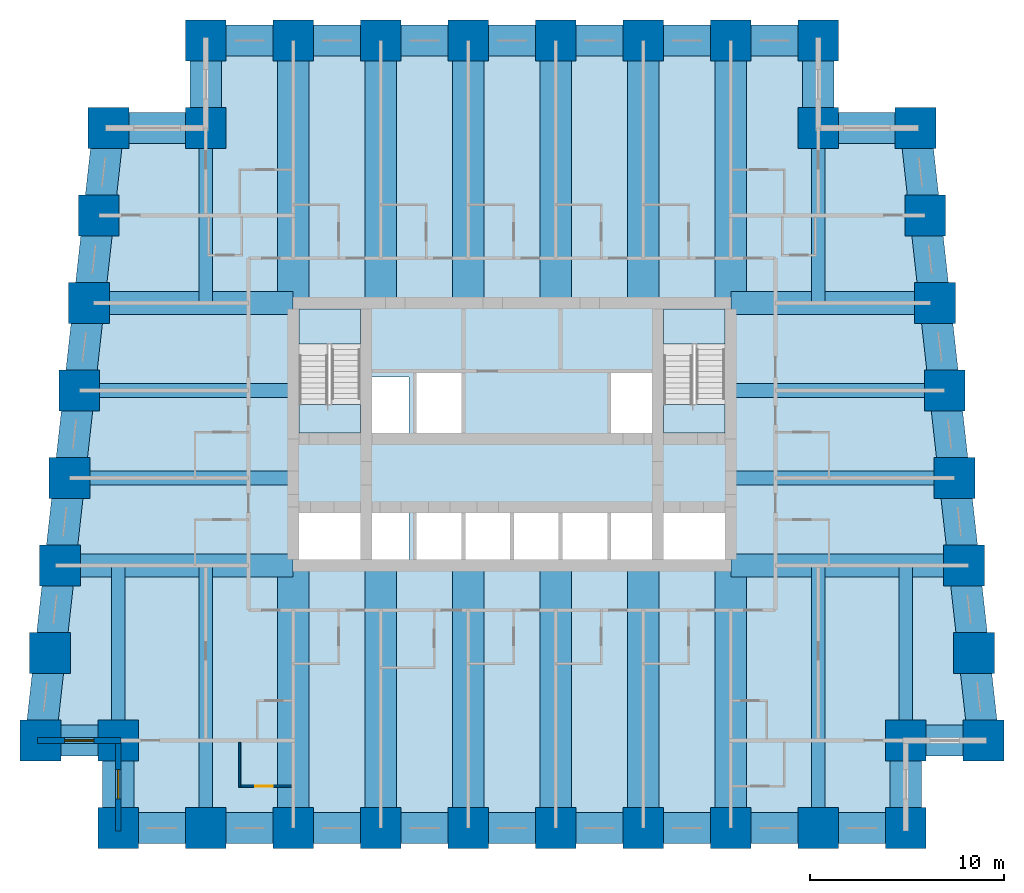
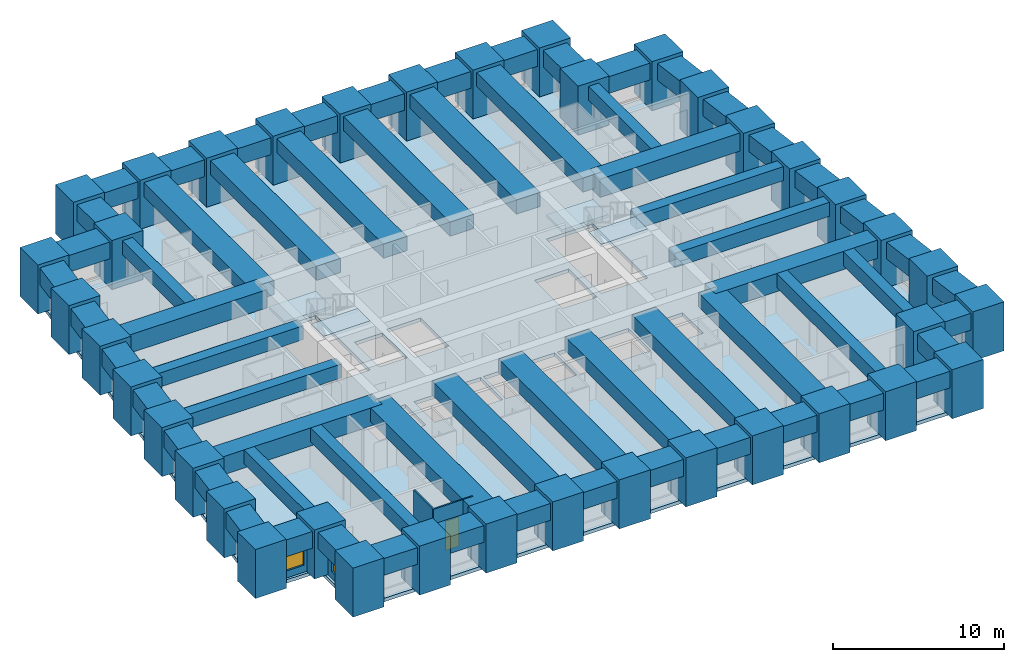
# One storey, part 1 of 8: 64 beams, 38 columns, 5 slabs, 4 walls, 2 windows, 1 door, 3 openings, 2 elements without a shape of their own.
"""IFC4 building model written with IfcOpenShell, lengths in metres."""

from ifc_helpers import new_model, si_unit, direction, frame, frame_2d, origin, origin_2d, place, context, subcontext, project, spatial, polyline, rectangle, outline, extrude, material, layer, layer_set, material_profile, profile_set, type_object, element, fill, aggregate, save


model = new_model("IFC4")

# Units and contexts
model_context = context("Model", 3, precision=1e-05, world=origin(), true_north=direction((0.0, 1.0)))
body_context = subcontext(model_context, "Body", "Model", "MODEL_VIEW")
ifc_project = project(units=[si_unit("LENGTHUNIT", "METRE"), si_unit("AREAUNIT", "SQUARE_METRE"), si_unit("VOLUMEUNIT", "CUBIC_METRE"), si_unit("PLANEANGLEUNIT", "RADIAN"), si_unit("MASSUNIT", "GRAM", prefix="KILO")], contexts=[model_context])

# Site, building, storey
site_placement = place(None, origin())
site = spatial("IfcSite", under=ifc_project, at=site_placement, CompositionType="ELEMENT")
building_placement = place(site_placement, origin())
building = spatial("IfcBuilding", under=site, at=building_placement, Name="Kilele Tower Hotel", CompositionType="ELEMENT")
storey_placement = place(building_placement, frame((0.0, 0.0, 33.199951171875)))
storey = spatial("IfcBuildingStorey", under=building, at=storey_placement, Name="L06", CompositionType="ELEMENT", Elevation=33.199951171875)

# Columns
ifc_material_1 = material(Name="Concrete C80/95", Category="concrete")
ifc_material_profile_1 = material_profile(ifc_material_1, rectangle(XDim=2.10009765625, YDim=2.10009765625, at=origin_2d()))
ifc_profile_set_1 = profile_set([ifc_material_profile_1], Name="Concrete C80/95")
column_type = type_object("IfcColumnType", Name="Tube column RC 2100x2100 C80/95", PredefinedType="COLUMN", material=ifc_profile_set_1)
for number, where, z_axis, x_axis, name in (
    (1, (0.5, 4.5, 0.0), (0.0, 0.0, 1.0), (1.0, 0.0, 0.0), "Column TC9 L06"),
    (2, (4.5, 4.5, 0.0), (0.0, 0.0, 1.0), (1.0, 0.0, 0.0), "Column TC9 L06"),
    (3, (4.5, 0.0, 0.0), (0.0, 0.0, 1.0), (1.0, 0.0, 0.0), "Column TC9 L06"),
    (4, (9.0, 0.0, 0.0), (0.0, 0.0, 1.0), (1.0, 0.0, 0.0), "Column TC9 L06"),
    (5, (13.5, 0.0, 0.0), (0.0, 0.0, 1.0), (1.0, 0.0, 0.0), "Column TC9 L06"),
    (6, (18.0, 0.0, 0.0), (0.0, 0.0, 1.0), (1.0, 0.0, 0.0), "Column TC9 L06"),
    (7, (22.5, 0.0, 0.0), (0.0, 0.0, 1.0), (1.0, 0.0, 0.0), "Column TC9 L06"),
    (8, (27.0, 0.0, 0.0), (0.0, 0.0, 1.0), (1.0, 0.0, 0.0), "Column TC9 L06"),
    (9, (31.5, 0.0, 0.0), (0.0, 0.0, 1.0), (1.0, 0.0, 0.0), "Column TC9 L06"),
    (10, (36.0, 0.0, 0.0), (0.0, 0.0, 1.0), (1.0, 0.0, 0.0), "Column TC9 L06"),
    (11, (40.5, 0.0, 0.0), (0.0, 0.0, 1.0), (1.0, 0.0, 0.0), "Column TC9 L06"),
    (12, (45.0, 0.0, 0.0), (0.0, 0.0, 1.0), (1.0, 0.0, 0.0), "Column TC9 L06"),
    (13, (45.0, 4.5, 0.0), (0.0, 0.0, 1.0), (1.0, 0.0, 0.0), "Column TC9 L06"),
    (14, (49.0, 4.5, 0.0), (0.0, 0.0, 1.0), (1.0, 0.0, 0.0), "Column TC9 L06"),
    (15, (48.5, 9.0, 0.0), (0.0, 0.0, 1.0), (1.0, 0.0, 0.0), "Column TC9 L06"),
    (16, (48.0, 13.5, 0.0), (0.0, 0.0, 1.0), (1.0, 0.0, 0.0), "Column TC9 L06"),
    (17, (47.5, 18.0, 0.0), (0.0, 0.0, 1.0), (1.0, 0.0, 0.0), "Column TC9 L06"),
    (18, (47.0, 22.5, 0.0), (0.0, 0.0, 1.0), (1.0, 0.0, 0.0), "Column TC9 L06"),
    (19, (46.5, 27.0, 0.0), (0.0, 0.0, 1.0), (1.0, 0.0, 0.0), "Column TC9 L06"),
    (20, (46.0, 31.5, 0.0), (0.0, 0.0, 1.0), (1.0, 0.0, 0.0), "Column TC9 L06"),
    (21, (45.5, 36.0, 0.0), (0.0, 0.0, 1.0), (1.0, 0.0, 0.0), "Column TC9 L06"),
    (22, (40.5, 36.0, 0.0), (0.0, 0.0, 1.0), (1.0, 0.0, 0.0), "Column TC9 L06"),
    (23, (40.5, 40.5, 0.0), (0.0, 0.0, 1.0), (1.0, 0.0, 0.0), "Column TC9 L06"),
    (24, (36.0, 40.5, 0.0), (0.0, 0.0, 1.0), (1.0, 0.0, 0.0), "Column TC9 L06"),
    (25, (31.5, 40.5, 0.0), (0.0, 0.0, 1.0), (1.0, 0.0, 0.0), "Column TC9 L06"),
    (26, (27.0, 40.5, 0.0), (0.0, 0.0, 1.0), (1.0, 0.0, 0.0), "Column TC9 L06"),
    (27, (22.5, 40.5, 0.0), (0.0, 0.0, 1.0), (1.0, 0.0, 0.0), "Column TC9 L06"),
    (28, (18.0, 40.5, 0.0), (0.0, 0.0, 1.0), (1.0, 0.0, 0.0), "Column TC9 L06"),
    (29, (13.5, 40.5, 0.0), (0.0, 0.0, 1.0), (1.0, 0.0, 0.0), "Column TC9 L06"),
    (30, (9.0, 40.5, 0.0), (0.0, 0.0, 1.0), (1.0, 0.0, 0.0), "Column TC9 L06"),
    (31, (9.0, 36.0, 0.0), (0.0, 0.0, 1.0), (1.0, 0.0, 0.0), "Column TC9 L06"),
    (32, (4.0, 36.0, 0.0), (0.0, 0.0, 1.0), (1.0, 0.0, 0.0), "Column TC9 L06"),
    (33, (3.5, 31.5, 0.0), (0.0, 0.0, 1.0), (1.0, 0.0, 0.0), "Column TC9 L06"),
    (34, (3.0, 27.0, 0.0), (0.0, 0.0, 1.0), (1.0, 0.0, 0.0), "Column TC9 L06"),
    (35, (2.5, 22.5, 0.0), (0.0, 0.0, 1.0), (1.0, 0.0, 0.0), "Column TC9 L06"),
    (36, (2.0, 18.0, 0.0), (0.0, 0.0, 1.0), (1.0, 0.0, 0.0), "Column TC9 L06"),
    (37, (1.5, 13.5, 0.0), (0.0, 0.0, 1.0), (1.0, 0.0, 0.0), "Column TC9 L06"),
    (38, (1.0, 9.0, 0.0), (0.0, 0.0, 1.0), (1.0, 0.0, 0.0), "Column TC9 L06"),
):
    element("IfcColumn", number, at=place(storey_placement, frame(where, z_axis=z_axis, x_axis=x_axis)), inside=storey, type_object=column_type, Name=name, PredefinedType="COLUMN", context=body_context, shape_type="SweptSolid", body=[
        extrude(rectangle(XDim=2.10009765625, YDim=2.10009765625, at=origin_2d()), origin(), (0.0, 0.0, 1.0), 3.5),
    ])

# Beams
ifc_material_2 = material(Name="Concrete C60/75", Category="concrete")
ifc_material_profile_2 = material_profile(ifc_material_2, rectangle(XDim=1.60009765625, YDim=1.0, at=origin_2d()))
ifc_profile_set_2 = profile_set([ifc_material_profile_2], Name="Concrete C60/75")
beam_type_1 = type_object("IfcBeamType", Name="Beam RC 1600x1000 C60/75", PredefinedType="BEAM", material=ifc_profile_set_2)
for number, where, z_axis, x_axis, name in (
    (39, (13.5, 0.0, 2.75), (0.0, 1.0, 0.0), (-1.0, 0.0, 0.0), "Beam BC1 level L07"),
    (40, (18.0, 0.0, 2.75), (0.0, 1.0, 0.0), (-1.0, 0.0, 0.0), "Beam BC1 level L07"),
    (41, (22.5, 0.0, 2.75), (0.0, 1.0, 0.0), (-1.0, 0.0, 0.0), "Beam BC1 level L07"),
    (42, (27.0, 0.0, 2.75), (0.0, 1.0, 0.0), (-1.0, 0.0, 0.0), "Beam BC1 level L07"),
    (43, (31.5, 0.0, 2.75), (0.0, 1.0, 0.0), (-1.0, 0.0, 0.0), "Beam BC1 level L07"),
    (44, (36.0, 0.0, 2.75), (0.0, 1.0, 0.0), (-1.0, 0.0, 0.0), "Beam BC1 level L07"),
    (45, (36.0, 40.5, 2.75), (0.0, -1.0, 0.0), (1.0, 0.0, 0.0), "Beam BC1 level L07"),
    (46, (31.5, 40.5, 2.75), (0.0, -1.0, 0.0), (1.0, 0.0, 0.0), "Beam BC1 level L07"),
    (47, (27.0, 40.5, 2.75), (0.0, -1.0, 0.0), (1.0, 0.0, 0.0), "Beam BC1 level L07"),
    (48, (22.5, 40.5, 2.75), (0.0, -1.0, 0.0), (1.0, 0.0, 0.0), "Beam BC1 level L07"),
    (49, (18.0, 40.5, 2.75), (0.0, -1.0, 0.0), (1.0, 0.0, 0.0), "Beam BC1 level L07"),
    (50, (13.5, 40.5, 2.75), (0.0, -1.0, 0.0), (1.0, 0.0, 0.0), "Beam BC1 level L07"),
):
    element("IfcBeam", number, at=place(storey_placement, frame(where, z_axis=z_axis, x_axis=x_axis)), inside=storey, type_object=beam_type_1, Name=name, PredefinedType="BEAM", context=body_context, shape_type="SweptSolid", body=[
        extrude(rectangle(XDim=1.60009765625, YDim=1.0, at=origin_2d()), origin(), (0.0, 0.0, 1.0), 13.5),
    ])
ifc_material_3 = material(Name="Concrete C60/75", Category="concrete")
ifc_material_profile_3 = material_profile(ifc_material_3, rectangle(XDim=0.699951171875, YDim=1.0, at=origin_2d()))
ifc_profile_set_3 = profile_set([ifc_material_profile_3], Name="Concrete C60/75")
beam_type_2 = type_object("IfcBeamType", Name="Beam RC 700x1000 C60/75", PredefinedType="BEAM", material=ifc_profile_set_3)
for number, where, z_axis, x_axis, name in (
    (51, (9.0, 0.0, 2.75), (0.0, 1.0, 0.0), (-1.0, 0.0, 0.0), "Beam B4 level L07"),
    (52, (40.5, 0.0, 2.75), (0.0, 1.0, 0.0), (-1.0, 0.0, 0.0), "Beam B4 level L07"),
):
    element("IfcBeam", number, at=place(storey_placement, frame(where, z_axis=z_axis, x_axis=x_axis)), inside=storey, type_object=beam_type_2, Name=name, PredefinedType="BEAM", context=body_context, shape_type="SweptSolid", body=[
        extrude(rectangle(XDim=0.699951171875, YDim=1.0, at=origin_2d()), origin(), (0.0, 0.0, 1.0), 13.5),
    ])
ifc_material_4 = material(Name="Concrete C60/75", Category="concrete")
ifc_material_profile_4 = material_profile(ifc_material_4, rectangle(XDim=0.699951171875, YDim=1.0, at=origin_2d()))
ifc_profile_set_4 = profile_set([ifc_material_profile_4], Name="Concrete C60/75")
beam_type_3 = type_object("IfcBeamType", Name="Beam RC 700x1000 C60/75 mid span", PredefinedType="BEAM", material=ifc_profile_set_4)
for number, where, z_axis, x_axis, name in (
    (53, (4.5, 4.5, 2.75), (0.0, 1.0, 0.0), (-1.0, 0.0, 0.0), "Beam B5 level L07"),
    (54, (45.0, 4.5, 2.75), (0.0, 1.0, 0.0), (-1.0, 0.0, 0.0), "Beam B5 level L07"),
):
    element("IfcBeam", number, at=place(storey_placement, frame(where, z_axis=z_axis, x_axis=x_axis)), inside=storey, type_object=beam_type_3, Name=name, PredefinedType="BEAM", context=body_context, shape_type="SweptSolid", body=[
        extrude(rectangle(XDim=0.699951171875, YDim=1.0, at=origin_2d()), origin(), (0.0, 0.0, 1.0), 9.0),
    ])
beam_1_placement = place(storey_placement, frame((47.5, 18.0, 2.75), z_axis=(-1.0, 0.0, 0.0), x_axis=(0.0, -1.0, 0.0)))
element("IfcBeam", 55, at=beam_1_placement, inside=storey, type_object=beam_type_3, Name="Beam B5 level L07", PredefinedType="BEAM", context=body_context, shape_type="SweptSolid", body=[
    extrude(rectangle(XDim=0.699951171875, YDim=1.0, at=origin_2d()), origin(), (0.0, 0.0, 1.0), 11.5),
])
beam_2_placement = place(storey_placement, frame((47.0, 22.5, 2.75), z_axis=(-1.0, 0.0, 0.0), x_axis=(0.0, -1.0, 0.0)))
element("IfcBeam", 56, at=beam_2_placement, inside=storey, type_object=beam_type_3, Name="Beam B5 level L07", PredefinedType="BEAM", context=body_context, shape_type="SweptSolid", body=[
    extrude(rectangle(XDim=0.699951171875, YDim=1.0, at=origin_2d()), origin(), (0.0, 0.0, 1.0), 11.0),
])
for number, where, z_axis, x_axis, name in (
    (57, (40.5, 36.0, 2.75), (0.0, -1.0, 0.0), (1.0, 0.0, 0.0), "Beam B5 level L07"),
    (58, (9.0, 36.0, 2.75), (0.0, -1.0, 0.0), (1.0, 0.0, 0.0), "Beam B5 level L07"),
):
    element("IfcBeam", number, at=place(storey_placement, frame(where, z_axis=z_axis, x_axis=x_axis)), inside=storey, type_object=beam_type_3, Name=name, PredefinedType="BEAM", context=body_context, shape_type="SweptSolid", body=[
        extrude(rectangle(XDim=0.699951171875, YDim=1.0, at=origin_2d()), origin(), (0.0, 0.0, 1.0), 9.0),
    ])
beam_3_placement = place(storey_placement, frame((2.5, 22.5, 2.75), z_axis=(1.0, 0.0, 0.0), x_axis=(0.0, 1.0, 0.0)))
element("IfcBeam", 59, at=beam_3_placement, inside=storey, type_object=beam_type_3, Name="Beam B5 level L07", PredefinedType="BEAM", context=body_context, shape_type="SweptSolid", body=[
    extrude(rectangle(XDim=0.699951171875, YDim=1.0, at=origin_2d()), origin(), (0.0, 0.0, 1.0), 11.0),
])
beam_4_placement = place(storey_placement, frame((2.0, 18.0, 2.75), z_axis=(1.0, 0.0, 0.0), x_axis=(0.0, 1.0, 0.0)))
element("IfcBeam", 60, at=beam_4_placement, inside=storey, type_object=beam_type_3, Name="Beam B5 level L07", PredefinedType="BEAM", context=body_context, shape_type="SweptSolid", body=[
    extrude(rectangle(XDim=0.699951171875, YDim=1.0, at=origin_2d()), origin(), (0.0, 0.0, 1.0), 11.5),
])
ifc_material_5 = material(Name="Concrete C60/75", Category="concrete")
ifc_material_profile_5 = material_profile(ifc_material_5, rectangle(XDim=1.199951171875, YDim=1.300048828125, at=origin_2d()))
ifc_profile_set_5 = profile_set([ifc_material_profile_5], Name="Concrete C60/75")
beam_type_4 = type_object("IfcBeamType", Name="Girder RC 1200x1300 C60/75", PredefinedType="BEAM", material=ifc_profile_set_5)
for number, where, z_axis, x_axis, name in (
    (61, (48.0, 13.5, 2.60009765625), (-1.0, 0.0, 0.0), (0.0, -1.0, 0.0), "Girder G1 level L07"),
    (62, (1.5, 13.5, 2.60009765625), (1.0, 0.0, 0.0), (0.0, 1.0, 0.0), "Girder G1 level L07"),
):
    element("IfcBeam", number, at=place(storey_placement, frame(where, z_axis=z_axis, x_axis=x_axis)), inside=storey, type_object=beam_type_4, Name=name, PredefinedType="BEAM", context=body_context, shape_type="SweptSolid", body=[
        extrude(rectangle(XDim=1.199951171875, YDim=1.300048828125, at=origin_2d()), origin(), (0.0, 0.0, 1.0), 12.0),
    ])
ifc_material_6 = material(Name="Concrete C60/75", Category="concrete")
ifc_material_profile_6 = material_profile(ifc_material_6, rectangle(XDim=1.199951171875, YDim=1.300048828125, at=origin_2d()))
ifc_profile_set_6 = profile_set([ifc_material_profile_6], Name="Concrete C60/75")
beam_type_5 = type_object("IfcBeamType", Name="Girder RC 1200x1300 C60/75 mid span", PredefinedType="BEAM", material=ifc_profile_set_6)
for number, where, z_axis, x_axis, name in (
    (63, (46.5, 27.0, 2.60009765625), (-1.0, 0.0, 0.0), (0.0, -1.0, 0.0), "Girder G3 level L07"),
    (64, (3.0, 27.0, 2.60009765625), (1.0, 0.0, 0.0), (0.0, 1.0, 0.0), "Girder G3 level L07"),
):
    element("IfcBeam", number, at=place(storey_placement, frame(where, z_axis=z_axis, x_axis=x_axis)), inside=storey, type_object=beam_type_5, Name=name, PredefinedType="BEAM", context=body_context, shape_type="SweptSolid", body=[
        extrude(rectangle(XDim=1.199951171875, YDim=1.300048828125, at=origin_2d()), origin(), (0.0, 0.0, 1.0), 10.5),
    ])
ifc_material_7 = material(Name="Concrete C60/75", Category="concrete")
ifc_material_profile_7 = material_profile(ifc_material_7, rectangle(XDim=1.60009765625, YDim=1.199951171875, at=origin_2d()))
ifc_profile_set_7 = profile_set([ifc_material_profile_7], Name="Concrete C60/75")
beam_type_6 = type_object("IfcBeamType", Name="Spandrel RC 1600x1200 C60/75", PredefinedType="SPANDREL", material=ifc_profile_set_7)
beam_5_placement = place(storey_placement, frame((0.5, 4.5, 2.650146484375), z_axis=(1.0, 0.0, 0.0), x_axis=(0.0, 1.0, 0.0)))
element("IfcBeam", 65, at=beam_5_placement, inside=storey, type_object=beam_type_6, Name="Spandrel SP11 level L07", PredefinedType="SPANDREL", context=body_context, shape_type="SweptSolid", body=[
    extrude(rectangle(XDim=1.60009765625, YDim=1.199951171875, at=origin_2d()), origin(), (0.0, 0.0, 1.0), 4.0),
])
for number, where, z_axis, x_axis, name in (
    (66, (4.5, 4.5, 2.650146484375), (0.0, -1.0, 0.0), (1.0, 0.0, 0.0), "Spandrel SP11 level L07"),
    (67, (4.5, 0.0, 2.650146484375), (1.0, 0.0, 0.0), (0.0, 1.0, 0.0), "Spandrel SP11 level L07"),
    (68, (9.0, 0.0, 2.650146484375), (1.0, 0.0, 0.0), (0.0, 1.0, 0.0), "Spandrel SP11 level L07"),
    (69, (13.5, 0.0, 2.650146484375), (1.0, 0.0, 0.0), (0.0, 1.0, 0.0), "Spandrel SP11 level L07"),
    (70, (18.0, 0.0, 2.650146484375), (1.0, 0.0, 0.0), (0.0, 1.0, 0.0), "Spandrel SP11 level L07"),
    (71, (22.5, 0.0, 2.650146484375), (1.0, 0.0, 0.0), (0.0, 1.0, 0.0), "Spandrel SP11 level L07"),
    (72, (27.0, 0.0, 2.650146484375), (1.0, 0.0, 0.0), (0.0, 1.0, 0.0), "Spandrel SP11 level L07"),
    (73, (31.5, 0.0, 2.650146484375), (1.0, 0.0, 0.0), (0.0, 1.0, 0.0), "Spandrel SP11 level L07"),
    (74, (36.0, 0.0, 2.650146484375), (1.0, 0.0, 0.0), (0.0, 1.0, 0.0), "Spandrel SP11 level L07"),
    (75, (40.5, 0.0, 2.650146484375), (1.0, 0.0, 0.0), (0.0, 1.0, 0.0), "Spandrel SP11 level L07"),
    (76, (45.0, 0.0, 2.650146484375), (0.0, 1.0, 0.0), (-1.0, 0.0, 0.0), "Spandrel SP11 level L07"),
):
    element("IfcBeam", number, at=place(storey_placement, frame(where, z_axis=z_axis, x_axis=x_axis)), inside=storey, type_object=beam_type_6, Name=name, PredefinedType="SPANDREL", context=body_context, shape_type="SweptSolid", body=[
        extrude(rectangle(XDim=1.60009765625, YDim=1.199951171875, at=origin_2d()), origin(), (0.0, 0.0, 1.0), 4.5),
    ])
beam_6_placement = place(storey_placement, frame((45.0, 4.5, 2.650146484375), z_axis=(1.0, 0.0, 0.0), x_axis=(0.0, 1.0, 0.0)))
element("IfcBeam", 77, at=beam_6_placement, inside=storey, type_object=beam_type_6, Name="Spandrel SP11 level L07", PredefinedType="SPANDREL", context=body_context, shape_type="SweptSolid", body=[
    extrude(rectangle(XDim=1.60009765625, YDim=1.199951171875, at=origin_2d()), origin(), (0.0, 0.0, 1.0), 4.0),
])
for number, where, z_axis, x_axis, name in (
    (78, (49.0, 4.5, 2.650146484375), (-0.110431526075, 0.993883734674, 0.0), (-0.993883734674, -0.110431526075, 0.0), "Spandrel SP11 level L07"),
    (79, (48.5, 9.0, 2.650146484375), (-0.110431526075, 0.993883734674, 0.0), (-0.993883734674, -0.110431526075, 0.0), "Spandrel SP11 level L07"),
    (80, (48.0, 13.5, 2.650146484375), (-0.110431526075, 0.993883734674, 0.0), (-0.993883734674, -0.110431526075, 0.0), "Spandrel SP11 level L07"),
    (81, (47.5, 18.0, 2.650146484375), (-0.110431526075, 0.993883734674, 0.0), (-0.993883734674, -0.110431526075, 0.0), "Spandrel SP11 level L07"),
    (82, (47.0, 22.5, 2.650146484375), (-0.110431526075, 0.993883734674, 0.0), (-0.993883734674, -0.110431526075, 0.0), "Spandrel SP11 level L07"),
    (83, (46.5, 27.0, 2.650146484375), (-0.110431526075, 0.993883734674, 0.0), (-0.993883734674, -0.110431526075, 0.0), "Spandrel SP11 level L07"),
    (84, (46.0, 31.5, 2.650146484375), (-0.110431526075, 0.993883734674, 0.0), (-0.993883734674, -0.110431526075, 0.0), "Spandrel SP11 level L07"),
):
    element("IfcBeam", number, at=place(storey_placement, frame(where, z_axis=z_axis, x_axis=x_axis)), inside=storey, type_object=beam_type_6, Name=name, PredefinedType="SPANDREL", context=body_context, shape_type="SweptSolid", body=[
        extrude(rectangle(XDim=1.60009765625, YDim=1.199951171875, at=origin_2d()), origin(), (0.0, 0.0, 1.0), 4.527587890625),
    ])
beam_7_placement = place(storey_placement, frame((45.5, 36.0, 2.650146484375), z_axis=(-1.0, 0.0, 0.0), x_axis=(0.0, -1.0, 0.0)))
element("IfcBeam", 85, at=beam_7_placement, inside=storey, type_object=beam_type_6, Name="Spandrel SP11 level L07", PredefinedType="SPANDREL", context=body_context, shape_type="SweptSolid", body=[
    extrude(rectangle(XDim=1.60009765625, YDim=1.199951171875, at=origin_2d()), origin(), (0.0, 0.0, 1.0), 5.0),
])
for number, where, z_axis, x_axis, name in (
    (86, (40.5, 36.0, 2.650146484375), (0.0, 1.0, 0.0), (-1.0, 0.0, 0.0), "Spandrel SP11 level L07"),
    (87, (40.5, 40.5, 2.650146484375), (-1.0, 0.0, 0.0), (0.0, -1.0, 0.0), "Spandrel SP11 level L07"),
    (88, (36.0, 40.5, 2.650146484375), (-1.0, 0.0, 0.0), (0.0, -1.0, 0.0), "Spandrel SP11 level L07"),
    (89, (31.5, 40.5, 2.650146484375), (-1.0, 0.0, 0.0), (0.0, -1.0, 0.0), "Spandrel SP11 level L07"),
    (90, (27.0, 40.5, 2.650146484375), (-1.0, 0.0, 0.0), (0.0, -1.0, 0.0), "Spandrel SP11 level L07"),
    (91, (22.5, 40.5, 2.650146484375), (-1.0, 0.0, 0.0), (0.0, -1.0, 0.0), "Spandrel SP11 level L07"),
    (92, (18.0, 40.5, 2.650146484375), (-1.0, 0.0, 0.0), (0.0, -1.0, 0.0), "Spandrel SP11 level L07"),
    (93, (13.5, 40.5, 2.650146484375), (-1.0, 0.0, 0.0), (0.0, -1.0, 0.0), "Spandrel SP11 level L07"),
    (94, (9.0, 40.5, 2.650146484375), (0.0, -1.0, 0.0), (1.0, 0.0, 0.0), "Spandrel SP11 level L07"),
):
    element("IfcBeam", number, at=place(storey_placement, frame(where, z_axis=z_axis, x_axis=x_axis)), inside=storey, type_object=beam_type_6, Name=name, PredefinedType="SPANDREL", context=body_context, shape_type="SweptSolid", body=[
        extrude(rectangle(XDim=1.60009765625, YDim=1.199951171875, at=origin_2d()), origin(), (0.0, 0.0, 1.0), 4.5),
    ])
beam_8_placement = place(storey_placement, frame((9.0, 36.0, 2.650146484375), z_axis=(-1.0, 0.0, 0.0), x_axis=(0.0, -1.0, 0.0)))
element("IfcBeam", 95, at=beam_8_placement, inside=storey, type_object=beam_type_6, Name="Spandrel SP11 level L07", PredefinedType="SPANDREL", context=body_context, shape_type="SweptSolid", body=[
    extrude(rectangle(XDim=1.60009765625, YDim=1.199951171875, at=origin_2d()), origin(), (0.0, 0.0, 1.0), 5.0),
])
for number, where, z_axis, x_axis, name in (
    (96, (4.0, 36.0, 2.650146484375), (-0.110431526075, -0.993883734674, 0.0), (0.993883734674, -0.110431526075, 0.0), "Spandrel SP11 level L07"),
    (97, (3.5, 31.5, 2.650146484375), (-0.110431526075, -0.993883734674, 0.0), (0.993883734674, -0.110431526075, 0.0), "Spandrel SP11 level L07"),
    (98, (3.0, 27.0, 2.650146484375), (-0.110431526075, -0.993883734674, 0.0), (0.993883734674, -0.110431526075, 0.0), "Spandrel SP11 level L07"),
    (99, (2.5, 22.5, 2.650146484375), (-0.110431526075, -0.993883734674, 0.0), (0.993883734674, -0.110431526075, 0.0), "Spandrel SP11 level L07"),
    (100, (2.0, 18.0, 2.650146484375), (-0.110431526075, -0.993883734674, 0.0), (0.993883734674, -0.110431526075, 0.0), "Spandrel SP11 level L07"),
    (101, (1.5, 13.5, 2.650146484375), (-0.110431526075, -0.993883734674, 0.0), (0.993883734674, -0.110431526075, 0.0), "Spandrel SP11 level L07"),
    (102, (1.0, 9.0, 2.650146484375), (-0.110431526075, -0.993883734674, 0.0), (0.993883734674, -0.110431526075, 0.0), "Spandrel SP11 level L07"),
):
    element("IfcBeam", number, at=place(storey_placement, frame(where, z_axis=z_axis, x_axis=x_axis)), inside=storey, type_object=beam_type_6, Name=name, PredefinedType="SPANDREL", context=body_context, shape_type="SweptSolid", body=[
        extrude(rectangle(XDim=1.60009765625, YDim=1.199951171875, at=origin_2d()), origin(), (0.0, 0.0, 1.0), 4.527587890625),
    ])

# Slab
ifc_material_8 = material(Name="Concrete C60/75", Category="concrete")
ifc_layer_1 = layer(ifc_material_8, 0.25)
ifc_layer_set_1 = layer_set([ifc_layer_1], Name="Concrete C60/75")
slab_type_1 = type_object("IfcSlabType", Name="Floor slab 250", PredefinedType="FLOOR", material=ifc_layer_set_1)
slab_1_placement = place(storey_placement, frame((0.0, 0.0, -0.25)))
element("IfcSlab", 103, at=slab_1_placement, inside=storey, type_object=slab_type_1, Name="Floor slab L06", PredefinedType="FLOOR", context=body_context, shape_type="SweptSolid", body=[
    extrude(outline(polyline([(8.699951171875, 36.300048828125), (8.699951171875, 40.800048828125), (40.800048828125, 40.800048828125), (40.800048828125, 36.300048828125), (45.7685546875, 36.300048828125), (49.335205078125, 4.199951171875), (45.300048828125, 4.199951171875), (45.300048828125, -0.300048828125), (4.199951171875, -0.300048828125), (4.199951171875, 4.199951171875), (0.164794921875, 4.199951171875), (3.7314453125, 36.300048828125), (8.699951171875, 36.300048828125)]), holes=[polyline([(16.949951171875, 16.199951171875), (13.800048828125, 16.199951171875), (13.800048828125, 13.800048828125), (16.949951171875, 13.800048828125), (16.949951171875, 16.199951171875)]), polyline([(19.449951171875, 13.800048828125), (19.449951171875, 16.199951171875), (17.550048828125, 16.199951171875), (17.550048828125, 13.800048828125), (19.449951171875, 13.800048828125)]), polyline([(22.14990234375, 13.800048828125), (22.14990234375, 16.39990234375), (19.85009765625, 16.39990234375), (19.85009765625, 13.800048828125), (22.14990234375, 13.800048828125)]), polyline([(24.64990234375, 16.39990234375), (22.35009765625, 16.39990234375), (22.35009765625, 13.800048828125), (24.64990234375, 13.800048828125), (24.64990234375, 16.39990234375)]), polyline([(19.449951171875, 20.300048828125), (19.449951171875, 23.199951171875), (17.550048828125, 23.199951171875), (17.550048828125, 20.300048828125), (19.449951171875, 20.300048828125)]), polyline([(22.14990234375, 20.10009765625), (22.14990234375, 23.39990234375), (19.85009765625, 23.39990234375), (19.85009765625, 20.10009765625), (22.14990234375, 20.10009765625)]), polyline([(16.949951171875, 26.699951171875), (13.800048828125, 26.699951171875), (13.800048828125, 20.300048828125), (16.949951171875, 20.300048828125), (16.949951171875, 26.699951171875)]), polyline([(35.699951171875, 13.800048828125), (35.699951171875, 16.199951171875), (32.550048828125, 16.199951171875), (32.550048828125, 13.800048828125), (35.699951171875, 13.800048828125)]), polyline([(27.14990234375, 13.800048828125), (27.14990234375, 16.39990234375), (24.85009765625, 16.39990234375), (24.85009765625, 13.800048828125), (27.14990234375, 13.800048828125)]), polyline([(29.64990234375, 13.800048828125), (29.64990234375, 16.39990234375), (27.35009765625, 16.39990234375), (27.35009765625, 13.800048828125), (29.64990234375, 13.800048828125)]), polyline([(32.14990234375, 13.800048828125), (32.14990234375, 16.39990234375), (29.85009765625, 16.39990234375), (29.85009765625, 13.800048828125), (32.14990234375, 13.800048828125)]), polyline([(32.14990234375, 20.10009765625), (32.14990234375, 23.39990234375), (29.85009765625, 23.39990234375), (29.85009765625, 20.10009765625), (32.14990234375, 20.10009765625)]), polyline([(35.699951171875, 20.300048828125), (35.699951171875, 26.699951171875), (32.550048828125, 26.699951171875), (32.550048828125, 20.300048828125), (35.699951171875, 20.300048828125)])]), origin(), (0.0, 0.0, 1.0), 0.25),
])

# Stair, slabs
ifc_material_9 = material(Name="Precast concrete C40/50", Category="concrete")
stair_type = type_object("IfcStairType", Name="Stair 1475 x 3500", PredefinedType="HALF_TURN_STAIR", material=ifc_material_9)
stair_1_placement = place(storey_placement, origin())
stair_1 = element("IfcStair", 104, at=stair_1_placement, inside=storey, type_object=stair_type, Name="Stair 1 L06", PredefinedType="HALF_TURN_STAIR")
ifc_material_10 = material(Name="Precast concrete C40/50", Category="concrete")
ifc_layer_2 = layer(ifc_material_10, 0.199951171875)
ifc_layer_set_2 = layer_set([ifc_layer_2], Name="Precast concrete C40/50")
slab_type_2 = type_object("IfcSlabType", Name="Stair landing 200", PredefinedType="LANDING", material=ifc_layer_set_2)
slab_2_placement = place(storey_placement, frame((0.0, 0.0, 1.550048828125)))
slab_2 = element("IfcSlab", 105, at=slab_2_placement, type_object=slab_type_2, Name="ST1 landing 1", PredefinedType="LANDING", context=body_context, shape_type="SweptSolid", body=[
    extrude(outline(polyline([(13.800048828125, 24.89501953125), (16.949951171875, 24.89501953125), (16.949951171875, 26.699951171875), (13.800048828125, 26.699951171875), (13.800048828125, 24.89501953125)])), origin(), (0.0, 0.0, 1.0), 0.199951171875),
])
slab_3_placement = place(storey_placement, frame((0.0, 0.0, 3.300048828125)))
slab_3 = element("IfcSlab", 106, at=slab_3_placement, type_object=slab_type_2, Name="ST1 landing 2", PredefinedType="LANDING", context=body_context, shape_type="SweptSolid", body=[
    extrude(outline(polyline([(13.800048828125, 20.300048828125), (16.949951171875, 20.300048828125), (16.949951171875, 21.77490234375), (13.800048828125, 21.77490234375), (13.800048828125, 20.300048828125)])), origin(), (0.0, 0.0, 1.0), 0.199951171875),
])
aggregate(stair_1, [slab_2, slab_3])

stair_2_placement = place(storey_placement, origin())
stair_2 = element("IfcStair", 107, at=stair_2_placement, inside=storey, type_object=stair_type, Name="Stair 2 L06", PredefinedType="HALF_TURN_STAIR")
slab_4_placement = place(storey_placement, frame((0.0, 0.0, 1.550048828125)))
slab_4 = element("IfcSlab", 108, at=slab_4_placement, type_object=slab_type_2, Name="ST2 landing 1", PredefinedType="LANDING", context=body_context, shape_type="SweptSolid", body=[
    extrude(outline(polyline([(32.550048828125, 24.89501953125), (35.699951171875, 24.89501953125), (35.699951171875, 26.699951171875), (32.550048828125, 26.699951171875), (32.550048828125, 24.89501953125)])), origin(), (0.0, 0.0, 1.0), 0.199951171875),
])
slab_5_placement = place(storey_placement, frame((0.0, 0.0, 3.300048828125)))
slab_5 = element("IfcSlab", 109, at=slab_5_placement, type_object=slab_type_2, Name="ST2 landing 2", PredefinedType="LANDING", context=body_context, shape_type="SweptSolid", body=[
    extrude(outline(polyline([(32.550048828125, 20.300048828125), (35.699951171875, 20.300048828125), (35.699951171875, 21.77490234375), (32.550048828125, 21.77490234375), (32.550048828125, 20.300048828125)])), origin(), (0.0, 0.0, 1.0), 0.199951171875),
])
aggregate(stair_2, [slab_4, slab_5])

# Wall
ifc_material_11 = material(Name="Moisture-resistant board")
ifc_layer_3 = layer(ifc_material_11, 0.10009765625)
ifc_layer_set_3 = layer_set([ifc_layer_3], Name="Moisture-resistant board")
wall_type_1 = type_object("IfcWallType", Name="Bathroom partition 100", PredefinedType="PLUMBINGWALL", material=ifc_layer_set_3)
wall_1_placement = place(storey_placement, frame((10.75, 4.39990234375, 0.0), z_axis=(0.0, 0.0, 1.0), x_axis=(0.0, -1.0, 0.0)))
element("IfcWall", 110, at=wall_1_placement, inside=storey, type_object=wall_type_1, Name="Bathroom partition 100 L06", PredefinedType="PLUMBINGWALL", context=body_context, shape_type="SweptSolid", body=[
    extrude(rectangle(XDim=2.2998046875, YDim=0.10009765625, at=frame_2d((1.14990234375, 0.0))), origin(), (0.0, 0.0, 1.0), 3.25),
])

# Wall, opening, door
wall_2_placement = place(storey_placement, frame((13.39990234375, 2.14990234375, 0.0), z_axis=(0.0, 0.0, 1.0), x_axis=(-1.0, 0.0, 0.0)))
wall_2 = element("IfcWall", 111, at=wall_2_placement, inside=storey, type_object=wall_type_1, Name="Bathroom partition 100 L06", PredefinedType="PLUMBINGWALL", context=body_context, shape_type="SweptSolid", body=[
    extrude(rectangle(XDim=2.699951171875, YDim=0.10009765625, at=frame_2d((1.35009765625, 0.0))), origin(), (0.0, 0.0, 1.0), 3.25),
])
opening_1_placement = place(wall_2_placement, frame((0.949951171875, 0.0, 0.0)))
opening_1 = element("IfcOpeningElement", 112, at=opening_1_placement, cuts=wall_2, Name="Opening D2A", PredefinedType="OPENING", context=body_context, shape_type="SweptSolid", body=[
    extrude(rectangle(XDim=0.89990234375, YDim=2.10009765625, at=frame_2d((0.449951171875, 1.050048828125))), frame((0.0, 0.06005859375, 0.0), z_axis=(0.0, -1.0, 0.0), x_axis=(1.0, 0.0, 0.0)), (0.0, 0.0, 1.0), 0.1201171875),
])
ifc_material_12 = material(Name="Timber door leaf in hardwood frame", Category="wood")
door_type = type_object("IfcDoorType", Name="Bathroom door 900", OperationType="SINGLE_SWING_LEFT", PredefinedType="DOOR", material=ifc_material_12)
door_placement = place(opening_1_placement, origin())
door = element("IfcDoor", 113, at=door_placement, inside=storey, type_object=door_type, Name="Bathroom door 0619B", OperationType="SINGLE_SWING_LEFT", OverallHeight=2.10009765625, OverallWidth=0.89990234375, PredefinedType="DOOR", context=body_context, shape_type="SweptSolid", body=[
    extrude(rectangle(XDim=0.89990234375, YDim=2.10009765625, at=frame_2d((0.449951171875, 1.050048828125))), frame((0.0, 0.02490234375, 0.0), z_axis=(0.0, -1.0, 0.0), x_axis=(1.0, 0.0, 0.0)), (0.0, 0.0, 1.0), 0.050048828125),
])
fill(opening_1, door)

# Wall, opening, window
ifc_material_13 = material(Name="Concrete C40/50 precast", Category="concrete")
ifc_layer_4 = layer(ifc_material_13, 0.260009765625, Name="Precast backing", Category="LoadBearing")
ifc_material_14 = material(Name="Reconstituted stone finish", Category="masonry")
ifc_layer_5 = layer(ifc_material_14, 0.0400390625, Name="Face mix", Category="Finish")
ifc_layer_set_4 = layer_set([ifc_layer_4, ifc_layer_5], Name="Precast concrete C40/50, reconstituted stone finish")
wall_type_2 = type_object("IfcWallType", Name="Precast stone facade wall 300", PredefinedType="STANDARD", material=ifc_layer_set_4)
wall_3_placement = place(storey_placement, frame((0.35009765625, 4.5, 0.0), z_axis=(0.0, 0.0, 1.0), x_axis=(1.0, 0.0, 0.0)))
wall_3 = element("IfcWall", 114, at=wall_3_placement, inside=storey, type_object=wall_type_2, Name="Facade wall L06 edge 1", PredefinedType="STANDARD", context=body_context, shape_type="SweptSolid", body=[
    extrude(rectangle(XDim=4.2998046875, YDim=0.300048828125, at=frame_2d((2.14990234375, 0.0))), origin(), (0.0, 0.0, 1.0), 2.050048828125),
])
opening_2_placement = place(wall_3_placement, frame((1.39990234375, 0.0, 0.5)))
opening_2 = element("IfcOpeningElement", 115, at=opening_2_placement, cuts=wall_3, Name="Opening W1", PredefinedType="OPENING", context=body_context, shape_type="SweptSolid", body=[
    extrude(rectangle(XDim=1.5, YDim=1.39990234375, at=frame_2d((0.75, 0.699951171875))), frame((0.0, 0.159912109375, 0.0), z_axis=(0.0, -1.0, 0.0), x_axis=(1.0, 0.0, 0.0)), (0.0, 0.0, 1.0), 0.320068359375),
])
ifc_material_15 = material(Name="Aluminium frame, clear double glazing", Category="aluminium")
window_type = type_object("IfcWindowType", Name="Window W1 1500 x 1400", PartitioningType="SINGLE_PANEL", PredefinedType="WINDOW", material=ifc_material_15)
window_1_placement = place(opening_2_placement, origin())
window_1 = element("IfcWindow", 116, at=window_1_placement, inside=storey, type_object=window_type, Name="Window L06", OverallHeight=1.39990234375, OverallWidth=1.5, PartitioningType="SINGLE_PANEL", PredefinedType="WINDOW", context=body_context, shape_type="SweptSolid", body=[
    extrude(rectangle(XDim=1.5, YDim=1.39990234375, at=frame_2d((0.75, 0.699951171875))), frame((0.0, 0.030029296875, 0.0), z_axis=(0.0, -1.0, 0.0), x_axis=(1.0, 0.0, 0.0)), (0.0, 0.0, 1.0), 0.06005859375),
])
fill(opening_2, window_1)

wall_4_placement = place(storey_placement, frame((4.5, 4.64990234375, 0.0), z_axis=(0.0, 0.0, 1.0), x_axis=(0.0, -1.0, 0.0)))
wall_4 = element("IfcWall", 117, at=wall_4_placement, inside=storey, type_object=wall_type_2, Name="Facade wall L06 edge 2", PredefinedType="STANDARD", context=body_context, shape_type="SweptSolid", body=[
    extrude(rectangle(XDim=4.7998046875, YDim=0.300048828125, at=frame_2d((2.39990234375, 0.0))), origin(), (0.0, 0.0, 1.0), 2.050048828125),
])
opening_3_placement = place(wall_4_placement, frame((1.64990234375, 0.0, 0.5)))
opening_3 = element("IfcOpeningElement", 118, at=opening_3_placement, cuts=wall_4, Name="Opening W1", PredefinedType="OPENING", context=body_context, shape_type="SweptSolid", body=[
    extrude(rectangle(XDim=1.5, YDim=1.39990234375, at=frame_2d((0.75, 0.699951171875))), frame((0.0, 0.159912109375, 0.0), z_axis=(0.0, -1.0, 0.0), x_axis=(1.0, 0.0, 0.0)), (0.0, 0.0, 1.0), 0.320068359375),
])
window_2_placement = place(opening_3_placement, origin())
window_2 = element("IfcWindow", 119, at=window_2_placement, inside=storey, type_object=window_type, Name="Window L06", OverallHeight=1.39990234375, OverallWidth=1.5, PartitioningType="SINGLE_PANEL", PredefinedType="WINDOW", context=body_context, shape_type="SweptSolid", body=[
    extrude(rectangle(XDim=1.5, YDim=1.39990234375, at=frame_2d((0.75, 0.699951171875))), frame((0.0, 0.030029296875, 0.0), z_axis=(0.0, -1.0, 0.0), x_axis=(1.0, 0.0, 0.0)), (0.0, 0.0, 1.0), 0.06005859375),
])
fill(opening_3, window_2)

save(model, "model.ifc")
